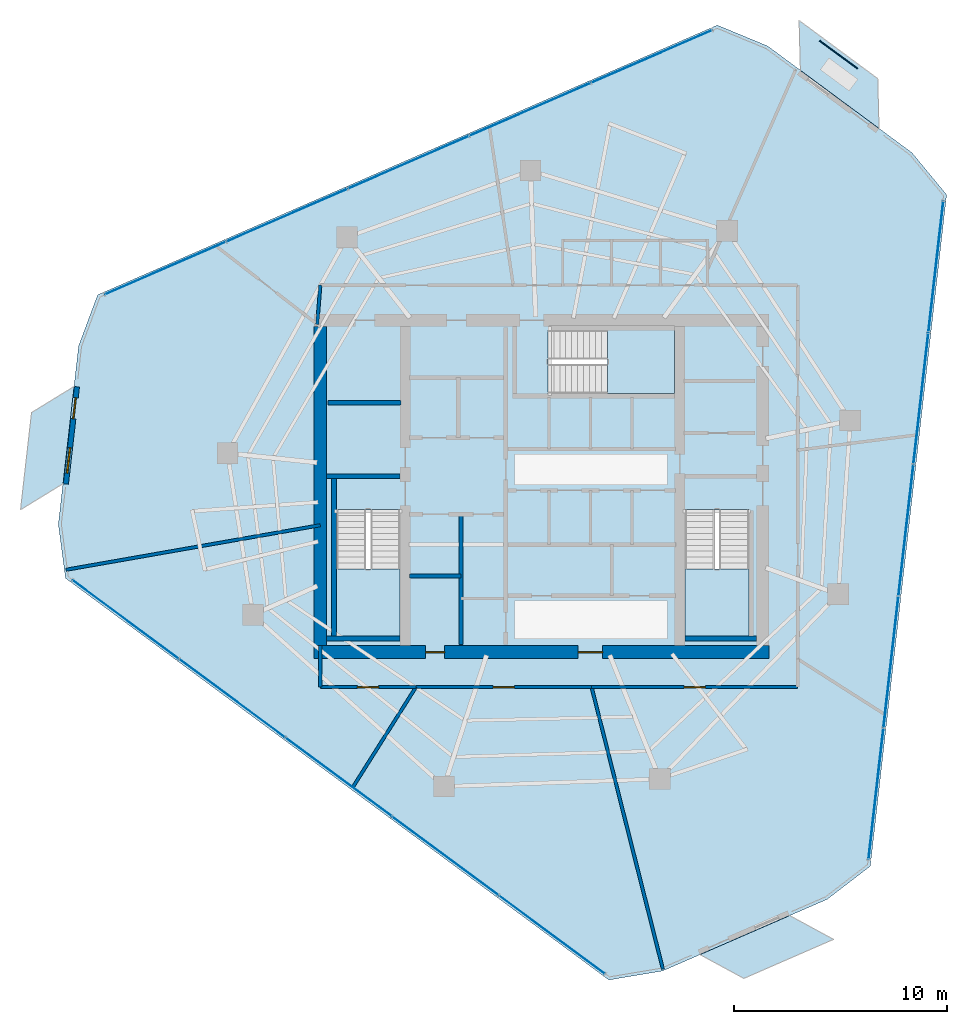
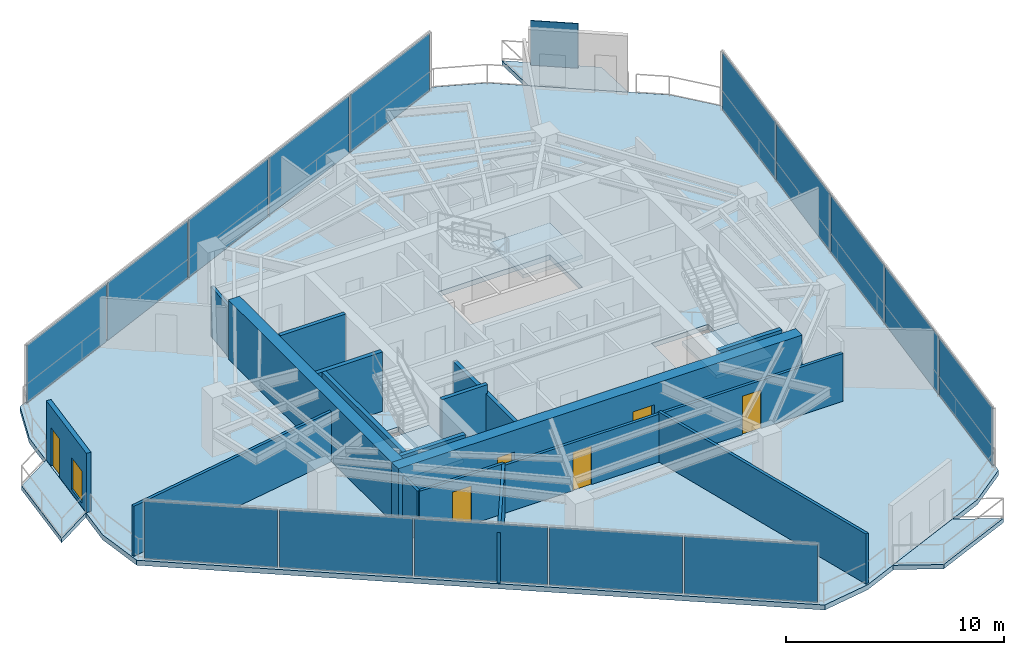
# One storey, part 17 of 22: 18 walls, 16 plates, 7 slabs, 6 doors, 1 window, 7 openings, 6 elements without a shape of their own.
"""IFC4 building model written with IfcOpenShell, lengths in metres."""

from ifc_helpers import new_model, si_unit, direction, frame, frame_2d, origin, origin_2d, place, context, subcontext, project, spatial, polyline, rectangle, outline, extrude, material, layer, layer_set, type_object, element, fill, aggregate, save


model = new_model("IFC4")

# Units and contexts
model_context = context("Model", 3, precision=1e-05, world=origin(), true_north=direction((0.0, 1.0)))
body_context = subcontext(model_context, "Body", "Model", "MODEL_VIEW")
ifc_project = project(units=[si_unit("LENGTHUNIT", "METRE"), si_unit("AREAUNIT", "SQUARE_METRE"), si_unit("VOLUMEUNIT", "CUBIC_METRE"), si_unit("PLANEANGLEUNIT", "RADIAN"), si_unit("MASSUNIT", "GRAM", prefix="KILO")], contexts=[model_context])

# Site, building, storey
site_placement = place(None, origin())
site = spatial("IfcSite", under=ifc_project, at=site_placement, CompositionType="ELEMENT")
building_placement = place(site_placement, origin())
building = spatial("IfcBuilding", under=site, at=building_placement, Name="Qarnah Convention Tower", CompositionType="ELEMENT")
storey_placement = place(building_placement, frame((0.0, 0.0, 154.5)))
storey = spatial("IfcBuildingStorey", under=building, at=storey_placement, Name="L41", CompositionType="ELEMENT", Elevation=154.5)

# Curtain wall, plates
ifc_material_1 = material(Name="Tempered Low-E dark glass", Category="glass")
ifc_layer_1 = layer(ifc_material_1, 0.172119140625)
ifc_layer_set_1 = layer_set([ifc_layer_1], Name="Tempered Low-E dark glass")
curtain_wall_type = type_object("IfcCurtainWallType", Name="CWS-03", PredefinedType="NOTDEFINED", material=ifc_layer_set_1)
curtain_wall_1_placement = place(storey_placement, origin())
curtain_wall_1 = element("IfcCurtainWall", 1, at=curtain_wall_1_placement, inside=storey, type_object=curtain_wall_type, Name="L41 unitised curtain wall CW-L41-F1", PredefinedType="NOTDEFINED")
ifc_layer_2 = layer(ifc_material_1, 0.031982421875)
ifc_layer_set_2 = layer_set([ifc_layer_2], Name="Tempered Low-E dark glass")
plate_type_1 = type_object("IfcPlateType", Name="PNL-T3", PredefinedType="CURTAIN_PANEL", material=ifc_layer_set_2)
plate_1_placement = place(storey_placement, frame((19.51171875, 36.652099609375, 0.0400390625), z_axis=(0.0, 0.0, 1.0), x_axis=(0.916925676456, 0.399058020663, 0.0)))
plate_1 = element("IfcPlate", 2, at=plate_1_placement, type_object=plate_type_1, Name="CW-L41-F1 curtain panel 1.1", PredefinedType="CURTAIN_PANEL", context=body_context, shape_type="SweptSolid", body=[
    extrude(rectangle(XDim=6.1552734375, YDim=0.031982421875, at=origin_2d()), origin(), (0.0, 0.0, 1.0), 3.239990234375),
])
plate_2_placement = place(storey_placement, frame((25.228759765625, 39.140380859375, 0.0400390625), z_axis=(0.0, 0.0, 1.0), x_axis=(0.916925676456, 0.399058020663, 0.0)))
plate_2 = element("IfcPlate", 3, at=plate_2_placement, type_object=plate_type_1, Name="CW-L41-F1 curtain panel 2.1", PredefinedType="CURTAIN_PANEL", context=body_context, shape_type="SweptSolid", body=[
    extrude(rectangle(XDim=6.1552734375, YDim=0.031982421875, at=origin_2d()), origin(), (0.0, 0.0, 1.0), 3.239990234375),
])
plate_3_placement = place(storey_placement, frame((30.946044921875, 41.62841796875, 0.0400390625), z_axis=(0.0, 0.0, 1.0), x_axis=(0.916925676456, 0.399058020663, 0.0)))
plate_3 = element("IfcPlate", 4, at=plate_3_placement, type_object=plate_type_1, Name="CW-L41-F1 curtain panel 3.1", PredefinedType="CURTAIN_PANEL", context=body_context, shape_type="SweptSolid", body=[
    extrude(rectangle(XDim=6.1552734375, YDim=0.031982421875, at=origin_2d()), origin(), (0.0, 0.0, 1.0), 3.239990234375),
])
plate_4_placement = place(storey_placement, frame((36.6630859375, 44.11669921875, 0.0400390625), z_axis=(0.0, 0.0, 1.0), x_axis=(0.916925676456, 0.399058020663, 0.0)))
plate_4 = element("IfcPlate", 5, at=plate_4_placement, type_object=plate_type_1, Name="CW-L41-F1 curtain panel 4.1", PredefinedType="CURTAIN_PANEL", context=body_context, shape_type="SweptSolid", body=[
    extrude(rectangle(XDim=6.1552734375, YDim=0.031982421875, at=origin_2d()), origin(), (0.0, 0.0, 1.0), 3.239990234375),
])
plate_5_placement = place(storey_placement, frame((42.38037109375, 46.60498046875, 0.0400390625), z_axis=(0.0, 0.0, 1.0), x_axis=(0.916925676456, 0.399058020663, 0.0)))
plate_5 = element("IfcPlate", 6, at=plate_5_placement, type_object=plate_type_1, Name="CW-L41-F1 curtain panel 5.1", PredefinedType="CURTAIN_PANEL", context=body_context, shape_type="SweptSolid", body=[
    extrude(rectangle(XDim=6.1552734375, YDim=0.031982421875, at=origin_2d()), origin(), (0.0, 0.0, 1.0), 3.239990234375),
])
aggregate(curtain_wall_1, [plate_1, plate_2, plate_3, plate_4, plate_5])

curtain_wall_2_placement = place(storey_placement, origin())
curtain_wall_2 = element("IfcCurtainWall", 7, at=curtain_wall_2_placement, inside=storey, type_object=curtain_wall_type, Name="L41 unitised curtain wall CW-L41-F2", PredefinedType="NOTDEFINED")
plate_6_placement = place(storey_placement, frame((37.689453125, 5.3076171875, 0.0400390625), z_axis=(0.0, 0.0, 1.0), x_axis=(-0.804054129382, 0.594556100821, 0.0)))
plate_6 = element("IfcPlate", 8, at=plate_6_placement, type_object=plate_type_1, Name="CW-L41-F2 curtain panel 1.1", PredefinedType="CURTAIN_PANEL", context=body_context, shape_type="SweptSolid", body=[
    extrude(rectangle(XDim=6.15478515625, YDim=0.031982421875, at=origin_2d()), origin(), (0.0, 0.0, 1.0), 3.239990234375),
])
plate_7_placement = place(storey_placement, frame((32.67626953125, 9.014404296875, 0.0400390625), z_axis=(0.0, 0.0, 1.0), x_axis=(-0.804054129382, 0.594556100821, 0.0)))
plate_7 = element("IfcPlate", 9, at=plate_7_placement, type_object=plate_type_1, Name="CW-L41-F2 curtain panel 2.1", PredefinedType="CURTAIN_PANEL", context=body_context, shape_type="SweptSolid", body=[
    extrude(rectangle(XDim=6.15478515625, YDim=0.031982421875, at=origin_2d()), origin(), (0.0, 0.0, 1.0), 3.239990234375),
])
plate_8_placement = place(storey_placement, frame((27.6630859375, 12.721435546875, 0.0400390625), z_axis=(0.0, 0.0, 1.0), x_axis=(-0.804054129382, 0.594556100821, 0.0)))
plate_8 = element("IfcPlate", 10, at=plate_8_placement, type_object=plate_type_1, Name="CW-L41-F2 curtain panel 3.1", PredefinedType="CURTAIN_PANEL", context=body_context, shape_type="SweptSolid", body=[
    extrude(rectangle(XDim=6.15478515625, YDim=0.031982421875, at=origin_2d()), origin(), (0.0, 0.0, 1.0), 3.239990234375),
])
plate_9_placement = place(storey_placement, frame((22.64990234375, 16.428466796875, 0.0400390625), z_axis=(0.0, 0.0, 1.0), x_axis=(-0.804054129382, 0.594556100821, 0.0)))
plate_9 = element("IfcPlate", 11, at=plate_9_placement, type_object=plate_type_1, Name="CW-L41-F2 curtain panel 4.1", PredefinedType="CURTAIN_PANEL", context=body_context, shape_type="SweptSolid", body=[
    extrude(rectangle(XDim=6.15478515625, YDim=0.031982421875, at=origin_2d()), origin(), (0.0, 0.0, 1.0), 3.239990234375),
])
plate_10_placement = place(storey_placement, frame((17.63671875, 20.135498046875, 0.0400390625), z_axis=(0.0, 0.0, 1.0), x_axis=(-0.804054129382, 0.594556100821, 0.0)))
plate_10 = element("IfcPlate", 12, at=plate_10_placement, type_object=plate_type_1, Name="CW-L41-F2 curtain panel 5.1", PredefinedType="CURTAIN_PANEL", context=body_context, shape_type="SweptSolid", body=[
    extrude(rectangle(XDim=6.15478515625, YDim=0.031982421875, at=origin_2d()), origin(), (0.0, 0.0, 1.0), 3.239990234375),
])
aggregate(curtain_wall_2, [plate_6, plate_7, plate_8, plate_9, plate_10])

curtain_wall_3_placement = place(storey_placement, origin())
curtain_wall_3 = element("IfcCurtainWall", 13, at=curtain_wall_3_placement, inside=storey, type_object=curtain_wall_type, Name="L41 unitised curtain wall CW-L41-F3", PredefinedType="NOTDEFINED")
plate_11_placement = place(storey_placement, frame((55.74609375, 36.721435546875, 0.0400390625), z_axis=(0.0, 0.0, 1.0), x_axis=(-0.11288161714, -0.993608444264, 0.0)))
plate_11 = element("IfcPlate", 14, at=plate_11_placement, type_object=plate_type_1, Name="CW-L41-F3 curtain panel 1.1", PredefinedType="CURTAIN_PANEL", context=body_context, shape_type="SweptSolid", body=[
    extrude(rectangle(XDim=6.15478515625, YDim=0.031982421875, at=origin_2d()), origin(), (0.0, 0.0, 1.0), 3.239990234375),
])
plate_12_placement = place(storey_placement, frame((55.042236328125, 30.526611328125, 0.0400390625), z_axis=(0.0, 0.0, 1.0), x_axis=(-0.11288161714, -0.993608444264, 0.0)))
plate_12 = element("IfcPlate", 15, at=plate_12_placement, type_object=plate_type_1, Name="CW-L41-F3 curtain panel 2.1", PredefinedType="CURTAIN_PANEL", context=body_context, shape_type="SweptSolid", body=[
    extrude(rectangle(XDim=6.15478515625, YDim=0.031982421875, at=origin_2d()), origin(), (0.0, 0.0, 1.0), 3.239990234375),
])
plate_13_placement = place(storey_placement, frame((54.33837890625, 24.33154296875, 0.0400390625), z_axis=(0.0, 0.0, 1.0), x_axis=(-0.11288161714, -0.993608444264, 0.0)))
plate_13 = element("IfcPlate", 16, at=plate_13_placement, type_object=plate_type_1, Name="CW-L41-F3 curtain panel 3.1", PredefinedType="CURTAIN_PANEL", context=body_context, shape_type="SweptSolid", body=[
    extrude(rectangle(XDim=6.15478515625, YDim=0.031982421875, at=origin_2d()), origin(), (0.0, 0.0, 1.0), 3.239990234375),
])
plate_14_placement = place(storey_placement, frame((53.634765625, 18.136474609375, 0.0400390625), z_axis=(0.0, 0.0, 1.0), x_axis=(-0.11288161714, -0.993608444264, 0.0)))
plate_14 = element("IfcPlate", 17, at=plate_14_placement, type_object=plate_type_1, Name="CW-L41-F3 curtain panel 4.1", PredefinedType="CURTAIN_PANEL", context=body_context, shape_type="SweptSolid", body=[
    extrude(rectangle(XDim=6.15478515625, YDim=0.031982421875, at=origin_2d()), origin(), (0.0, 0.0, 1.0), 3.239990234375),
])
plate_15_placement = place(storey_placement, frame((52.930908203125, 11.94140625, 0.0400390625), z_axis=(0.0, 0.0, 1.0), x_axis=(-0.11288161714, -0.993608444264, 0.0)))
plate_15 = element("IfcPlate", 18, at=plate_15_placement, type_object=plate_type_1, Name="CW-L41-F3 curtain panel 5.1", PredefinedType="CURTAIN_PANEL", context=body_context, shape_type="SweptSolid", body=[
    extrude(rectangle(XDim=6.15478515625, YDim=0.031982421875, at=origin_2d()), origin(), (0.0, 0.0, 1.0), 3.239990234375),
])
aggregate(curtain_wall_3, [plate_11, plate_12, plate_13, plate_14, plate_15])

# Plate
ifc_material_2 = material(Name="Black anodised aluminium", Category="aluminium")
ifc_layer_3 = layer(ifc_material_2, 0.044921875)
ifc_layer_set_3 = layer_set([ifc_layer_3], Name="Black anodised aluminium")
plate_type_2 = type_object("IfcPlateType", Name="SCR-BAL-18", PredefinedType="USERDEFINED", material=ifc_layer_set_3)
plate_16_placement = place(storey_placement, frame((51.16796875, 46.693115234375, 0.0), z_axis=(0.0, 0.0, 1.0), x_axis=(0.804076895846, -0.594525311123, 0.0)))
element("IfcPlate", 19, at=plate_16_placement, inside=storey, type_object=plate_type_2, Name="L41 perforated desert solar screen BAL-L41-C1", ObjectType="SCREEN", PredefinedType="USERDEFINED", context=body_context, shape_type="SweptSolid", body=[
    extrude(rectangle(XDim=2.199951171875, YDim=0.044921875, at=origin_2d()), origin(), (0.0, 0.0, 1.0), 2.5),
])

# Slabs
ifc_material_3 = material(Name="Concrete C45/55", Category="concrete")
ifc_layer_4 = layer(ifc_material_3, 0.239990234375)
ifc_layer_set_4 = layer_set([ifc_layer_4], Name="Concrete C45/55")
slab_type_1 = type_object("IfcSlabType", Name="SLB-BAL-240", PredefinedType="USERDEFINED", material=ifc_layer_set_4)
slab_1_placement = place(storey_placement, frame((0.0, 0.0, -0.239990234375)))
element("IfcSlab", 20, at=slab_1_placement, inside=storey, type_object=slab_type_1, Name="L41 cantilevered balcony slab BAL-L41-C1", ObjectType="BALCONY", PredefinedType="USERDEFINED", context=body_context, shape_type="SweptSolid", body=[
    extrude(outline(polyline([(49.31201171875, 48.300048828125), (53.010986328125, 45.56494140625), (53.072998046875, 43.219970703125), (49.3740234375, 45.955078125), (49.31201171875, 48.300048828125)])), origin(), (0.0, 0.0, 1.0), 0.239990234375),
])
slab_2_placement = place(storey_placement, frame((0.0, 0.0, -0.239990234375)))
element("IfcSlab", 21, at=slab_2_placement, inside=storey, type_object=slab_type_1, Name="L41 cantilevered balcony slab BAL-L41-C2", ObjectType="BALCONY", PredefinedType="USERDEFINED", context=body_context, shape_type="SweptSolid", body=[
    extrude(outline(polyline([(12.701904296875, 25.291015625), (13.220947265625, 29.862060546875), (15.220947265625, 31.087890625), (14.701904296875, 26.51708984375), (12.701904296875, 25.291015625)])), origin(), (0.0, 0.0, 1.0), 0.239990234375),
])
slab_3_placement = place(storey_placement, frame((0.0, 0.0, -0.239990234375)))
element("IfcSlab", 22, at=slab_3_placement, inside=storey, type_object=slab_type_1, Name="L41 cantilevered balcony slab BAL-L41-C3", ObjectType="BALCONY", PredefinedType="USERDEFINED", context=body_context, shape_type="SweptSolid", body=[
    extrude(outline(polyline([(50.93310546875, 5.090087890625), (46.715087890625, 3.25390625), (44.653076171875, 4.373046875), (48.8701171875, 6.208984375), (50.93310546875, 5.090087890625)])), origin(), (0.0, 0.0, 1.0), 0.239990234375),
])

# Stair, slab
ifc_material_4 = material(Name="Concrete C50/60", Category="concrete")
stair_type = type_object("IfcStairType", Name="STR-OFF", PredefinedType="HALF_TURN_STAIR", material=ifc_material_4)
stair_1_placement = place(storey_placement, origin())
stair_1 = element("IfcStair", 23, at=stair_1_placement, inside=storey, type_object=stair_type, Name="L41 Core exit stair ST-1", PredefinedType="HALF_TURN_STAIR")
ifc_layer_5 = layer(ifc_material_4, 0.199951171875)
ifc_layer_set_5 = layer_set([ifc_layer_5], Name="Concrete C50/60")
slab_type_2 = type_object("IfcSlabType", Name="SLB-LANDING-200", PredefinedType="LANDING", material=ifc_layer_set_5)
slab_4_placement = place(storey_placement, frame((0.0, 0.0, 1.60009765625)))
slab_4 = element("IfcSlab", 24, at=slab_4_placement, type_object=slab_type_2, Name="ST-1 landing 1", PredefinedType="LANDING", context=body_context, shape_type="SweptSolid", body=[
    extrude(outline(polyline([(27.550048828125, 22.5), (27.550048828125, 19.35009765625), (30.550048828125, 19.35009765625), (30.550048828125, 22.5), (27.550048828125, 22.5)])), origin(), (0.0, 0.0, 1.0), 0.199951171875),
])
aggregate(stair_1, [slab_4])

stair_2_placement = place(storey_placement, origin())
stair_2 = element("IfcStair", 25, at=stair_2_placement, inside=storey, type_object=stair_type, Name="L41 Core exit stair ST-2", PredefinedType="HALF_TURN_STAIR")
slab_5_placement = place(storey_placement, frame((0.0, 0.0, 1.60009765625)))
slab_5 = element("IfcSlab", 26, at=slab_5_placement, type_object=slab_type_2, Name="ST-2 landing 1", PredefinedType="LANDING", context=body_context, shape_type="SweptSolid", body=[
    extrude(outline(polyline([(43.949951171875, 22.5), (43.949951171875, 19.35009765625), (46.949951171875, 19.35009765625), (46.949951171875, 22.5), (43.949951171875, 22.5)])), origin(), (0.0, 0.0, 1.0), 0.199951171875),
])
aggregate(stair_2, [slab_5])

stair_3_placement = place(storey_placement, origin())
stair_3 = element("IfcStair", 27, at=stair_3_placement, inside=storey, type_object=stair_type, Name="L41 Core exit stair ST-3", PredefinedType="HALF_TURN_STAIR")
slab_6_placement = place(storey_placement, frame((0.0, 0.0, 1.60009765625)))
slab_6 = element("IfcSlab", 28, at=slab_6_placement, type_object=slab_type_2, Name="ST-3 landing 1", PredefinedType="LANDING", context=body_context, shape_type="SweptSolid", body=[
    extrude(outline(polyline([(40.300048828125, 30.75), (43.449951171875, 30.75), (43.449951171875, 33.75), (40.300048828125, 33.75), (40.300048828125, 30.75)])), origin(), (0.0, 0.0, 1.0), 0.199951171875),
])
aggregate(stair_3, [slab_6])

# Slab
ifc_layer_6 = layer(ifc_material_3, 0.280029296875)
ifc_layer_set_6 = layer_set([ifc_layer_6], Name="Concrete C45/55")
slab_type_3 = type_object("IfcSlabType", Name="SLB-TWR-280", PredefinedType="FLOOR", material=ifc_layer_set_6)
slab_7_placement = place(storey_placement, frame((0.0, 0.0, -0.280029296875)))
element("IfcSlab", 29, at=slab_7_placement, inside=storey, type_object=slab_type_3, Name="L41 structural floor slab", PredefinedType="FLOOR", context=body_context, shape_type="SweptSolid", body=[
    extrude(outline(polyline([(45.466064453125, 48.0791015625), (16.330078125, 35.39794921875), (15.43408203125, 32.9970703125), (14.48095703125, 24.611083984375), (14.81689453125, 22.071044921875), (40.365966796875, 3.178955078125), (42.89306640625, 3.60302734375), (50.632080078125, 6.970947265625), (52.6640625, 8.531982421875), (56.2509765625, 40.10400390625), (54.6201171875, 42.0810546875), (47.833984375, 47.09912109375), (45.466064453125, 48.0791015625)]), holes=[polyline([(27.550048828125, 25.300048828125), (27.550048828125, 19.35009765625), (30.550048828125, 19.35009765625), (30.550048828125, 25.300048828125), (27.550048828125, 25.300048828125)]), polyline([(43.949951171875, 25.300048828125), (43.949951171875, 19.35009765625), (46.949951171875, 19.35009765625), (46.949951171875, 25.300048828125), (43.949951171875, 25.300048828125)]), polyline([(37.5, 30.75), (43.449951171875, 30.75), (43.449951171875, 33.75), (37.5, 33.75), (37.5, 30.75)])]), origin(), (0.0, 0.0, 1.0), 0.280029296875),
])

# Wall, openings, doors
ifc_material_5 = material(Name="Concrete C60/75", Category="concrete")
ifc_layer_7 = layer(ifc_material_5, 0.60009765625)
ifc_layer_set_7 = layer_set([ifc_layer_7], Name="Concrete C60/75")
wall_type_1 = type_object("IfcWallType", Name="WL-CORE-600", PredefinedType="SHEAR", material=ifc_layer_set_7)
wall_1_placement = place(storey_placement, frame((26.5, 18.60009765625, 0.0), z_axis=(0.0, 0.0, 1.0), x_axis=(1.0, 0.0, 0.0)))
wall_1 = element("IfcWall", 30, at=wall_1_placement, inside=storey, type_object=wall_type_1, Name="L41 core south shear wall", PredefinedType="SHEAR", context=body_context, shape_type="SweptSolid", body=[
    extrude(rectangle(XDim=21.39990234375, YDim=0.60009765625, at=frame_2d((10.699951171875, 0.0))), origin(), (0.0, 0.0, 1.0), 3.320068359375),
])
opening_1_placement = place(wall_1_placement, frame((12.425048828125, 0.0, 0.0)))
opening_1 = element("IfcOpeningElement", 31, at=opening_1_placement, cuts=wall_1, Name="Opening D-4107", PredefinedType="OPENING", context=body_context, shape_type="SweptSolid", body=[
    extrude(rectangle(XDim=1.14990234375, YDim=2.14990234375, at=frame_2d((0.574951171875, 1.074951171875))), frame((0.0, 0.31005859375, 0.0), z_axis=(0.0, -1.0, 0.0), x_axis=(1.0, 0.0, 0.0)), (0.0, 0.0, 1.0), 0.6201171875),
])
opening_2_placement = place(wall_1_placement, frame((5.25, 0.0, 0.0)))
opening_2 = element("IfcOpeningElement", 32, at=opening_2_placement, cuts=wall_1, Name="Opening D-4113", PredefinedType="OPENING", context=body_context, shape_type="SweptSolid", body=[
    extrude(rectangle(XDim=0.89990234375, YDim=2.10009765625, at=frame_2d((0.449951171875, 1.050048828125))), frame((0.0, 0.31005859375, 0.0), z_axis=(0.0, -1.0, 0.0), x_axis=(1.0, 0.0, 0.0)), (0.0, 0.0, 1.0), 0.6201171875),
])
ifc_material_6 = material(Name="Structural steel S355JR", Category="steel")
door_type_1 = type_object("IfcDoorType", Name="DT-LOBBY-1150", OperationType="NOTDEFINED", PredefinedType="DOOR", material=ifc_material_6)
door_1_placement = place(opening_1_placement, origin())
door_1 = element("IfcDoor", 33, at=door_1_placement, inside=storey, type_object=door_type_1, Name="Door D-4107", OperationType="SINGLE_SWING_RIGHT", OverallHeight=2.14990234375, OverallWidth=1.14990234375, PredefinedType="DOOR", context=body_context, shape_type="SweptSolid", body=[
    extrude(rectangle(XDim=1.14990234375, YDim=2.14990234375, at=frame_2d((0.574951171875, 1.074951171875))), frame((0.0, 0.02490234375, 0.0), z_axis=(0.0, -1.0, 0.0), x_axis=(1.0, 0.0, 0.0)), (0.0, 0.0, 1.0), 0.050048828125),
])
fill(opening_1, door_1)
door_type_2 = type_object("IfcDoorType", Name="DT-RISER-900", OperationType="NOTDEFINED", PredefinedType="DOOR", material=ifc_material_6)
door_2_placement = place(opening_2_placement, origin())
door_2 = element("IfcDoor", 34, at=door_2_placement, inside=storey, type_object=door_type_2, Name="Door D-4113", OperationType="SINGLE_SWING_RIGHT", OverallHeight=2.10009765625, OverallWidth=0.89990234375, PredefinedType="DOOR", context=body_context, shape_type="SweptSolid", body=[
    extrude(rectangle(XDim=0.89990234375, YDim=2.10009765625, at=frame_2d((0.449951171875, 1.050048828125))), frame((0.0, 0.02490234375, 0.0), z_axis=(0.0, -1.0, 0.0), x_axis=(1.0, 0.0, 0.0)), (0.0, 0.0, 1.0), 0.050048828125),
])
fill(opening_2, door_2)

# Walls
wall_2_placement = place(storey_placement, frame((26.800048828125, 18.89990234375, 0.0), z_axis=(0.0, 0.0, 1.0), x_axis=(0.0, 1.0, 0.0)))
element("IfcWall", 35, at=wall_2_placement, inside=storey, type_object=wall_type_1, Name="L41 core west shear wall", PredefinedType="SHEAR", context=body_context, shape_type="SweptSolid", body=[
    extrude(rectangle(XDim=15.0, YDim=0.60009765625, at=frame_2d((7.5, 0.0))), origin(), (0.0, 0.0, 1.0), 3.320068359375),
])
ifc_layer_8 = layer(ifc_material_3, 0.199951171875)
ifc_layer_set_8 = layer_set([ifc_layer_8], Name="Concrete C45/55")
wall_type_2 = type_object("IfcWallType", Name="WL-CORE-PART-200", PredefinedType="SOLIDWALL", material=ifc_layer_set_8)
wall_3_placement = place(storey_placement, frame((27.14990234375, 30.320068359375, 0.0), z_axis=(0.0, 0.0, 1.0), x_axis=(1.0, 0.0, 0.0)))
element("IfcWall", 36, at=wall_3_placement, inside=storey, type_object=wall_type_2, Name="L41 interior wall IW-L41-ELRN", PredefinedType="SOLIDWALL", context=body_context, shape_type="SweptSolid", body=[
    extrude(rectangle(XDim=3.4501953125, YDim=0.199951171875, at=frame_2d((1.72509765625, 0.0))), origin(), (0.0, 0.0, 1.0), 3.320068359375),
])
wall_4_placement = place(storey_placement, frame((33.419921875, 18.949951171875, 0.0), z_axis=(0.0, 0.0, 1.0), x_axis=(0.0, 1.0, 0.0)))
element("IfcWall", 37, at=wall_4_placement, inside=storey, type_object=wall_type_2, Name="L41 interior wall IW-L41-SVLE", PredefinedType="SOLIDWALL", context=body_context, shape_type="SweptSolid", body=[
    extrude(rectangle(XDim=6.130126953125, YDim=0.199951171875, at=frame_2d((3.06494140625, 0.0))), origin(), (0.0, 0.0, 1.0), 2.841064453125),
])
wall_5_placement = place(storey_placement, frame((31.0, 22.179931640625, 0.0), z_axis=(0.0, 0.0, 1.0), x_axis=(1.0, 0.0, 0.0)))
element("IfcWall", 38, at=wall_5_placement, inside=storey, type_object=wall_type_2, Name="L41 interior wall IW-L41-SVLS", PredefinedType="SOLIDWALL", context=body_context, shape_type="SweptSolid", body=[
    extrude(rectangle(XDim=2.419921875, YDim=0.199951171875, at=frame_2d((1.2099609375, 0.0))), origin(), (0.0, 0.0, 1.0), 3.320068359375),
])
ifc_layer_9 = layer(ifc_material_5, 0.219970703125)
ifc_layer_set_9 = layer_set([ifc_layer_9], Name="Concrete C60/75")
wall_type_3 = type_object("IfcWallType", Name="WL-CORE-STAIR-220", PredefinedType="SHEAR", material=ifc_layer_set_9)
wall_6_placement = place(storey_placement, frame((27.10009765625, 26.860107421875, 0.0), z_axis=(0.0, 0.0, 1.0), x_axis=(1.0, 0.0, 0.0)))
element("IfcWall", 39, at=wall_6_placement, inside=storey, type_object=wall_type_3, Name="L41 stair shaft shear wall SW-L41-ST1N", PredefinedType="SHEAR", context=body_context, shape_type="SweptSolid", body=[
    extrude(rectangle(XDim=3.449951171875, YDim=0.219970703125, at=frame_2d((1.72509765625, 0.0))), origin(), (0.0, 0.0, 1.0), 3.320068359375),
])
wall_7_placement = place(storey_placement, frame((27.43994140625, 19.35009765625, 0.0), z_axis=(0.0, 0.0, 1.0), x_axis=(0.0, 1.0, 0.0)))
element("IfcWall", 40, at=wall_7_placement, inside=storey, type_object=wall_type_3, Name="L41 stair shaft shear wall SW-L41-ST1W", PredefinedType="SHEAR", context=body_context, shape_type="SweptSolid", body=[
    extrude(rectangle(XDim=7.39990234375, YDim=0.219970703125, at=frame_2d((3.699951171875, 0.0))), origin(), (0.0, 0.0, 1.0), 3.320068359375),
])
wall_8_placement = place(storey_placement, frame((27.10009765625, 19.239990234375, 0.0), z_axis=(0.0, 0.0, 1.0), x_axis=(1.0, 0.0, 0.0)))
element("IfcWall", 41, at=wall_8_placement, inside=storey, type_object=wall_type_3, Name="L41 stair shaft shear wall SW-L41-ST1S", PredefinedType="SHEAR", context=body_context, shape_type="SweptSolid", body=[
    extrude(rectangle(XDim=3.449951171875, YDim=0.219970703125, at=frame_2d((1.72509765625, 0.0))), origin(), (0.0, 0.0, 1.0), 3.320068359375),
])
wall_9_placement = place(storey_placement, frame((43.949951171875, 19.239990234375, 0.0), z_axis=(0.0, 0.0, 1.0), x_axis=(1.0, 0.0, 0.0)))
element("IfcWall", 42, at=wall_9_placement, inside=storey, type_object=wall_type_3, Name="L41 stair shaft shear wall SW-L41-ST2S", PredefinedType="SHEAR", context=body_context, shape_type="SweptSolid", body=[
    extrude(rectangle(XDim=3.35009765625, YDim=0.219970703125, at=frame_2d((1.675048828125, 0.0))), origin(), (0.0, 0.0, 1.0), 3.320068359375),
])

# Wall, openings, door, window
ifc_material_7 = material(Name="Precast concrete C45/55", Category="concrete")
ifc_layer_10 = layer(ifc_material_7, 0.239990234375)
ifc_layer_set_10 = layer_set([ifc_layer_10], Name="Precast concrete C45/55")
wall_type_4 = type_object("IfcWallType", Name="WL-EXT-BAL-240", PredefinedType="SOLIDWALL", material=ifc_layer_set_10)
wall_10_placement = place(storey_placement, frame((14.8369140625, 26.5029296875, 0.0), z_axis=(0.0, 0.0, 1.0), x_axis=(0.112825144944, 0.993614858317, 0.0)))
wall_10 = element("IfcWall", 43, at=wall_10_placement, inside=storey, type_object=wall_type_4, Name="L41 loggia threshold wall BAL-L41-C2", PredefinedType="SOLIDWALL", context=body_context, shape_type="SweptSolid", body=[
    extrude(rectangle(XDim=4.600341796875, YDim=0.239990234375, at=frame_2d((2.30029296875, 0.0))), origin(), (0.0, 0.0, 1.0), 3.320068359375),
])
opening_3_placement = place(wall_10_placement, frame((3.080078125, 0.0, 0.0)))
opening_3 = element("IfcOpeningElement", 44, at=opening_3_placement, cuts=wall_10, Name="Opening BD-4102", PredefinedType="OPENING", context=body_context, shape_type="SweptSolid", body=[
    extrude(rectangle(XDim=1.0, YDim=2.14990234375, at=frame_2d((0.5, 1.074951171875))), frame((0.0, 0.1298828125, 0.0), z_axis=(0.0, -1.0, 0.0), x_axis=(1.0, 0.0, 0.0)), (0.0, 0.0, 1.0), 0.260009765625),
])
opening_4_placement = place(wall_10_placement, frame((0.52001953125, 0.0, 0.199951171875)))
opening_4 = element("IfcOpeningElement", 45, at=opening_4_placement, cuts=wall_10, Name="Opening WN5", PredefinedType="OPENING", context=body_context, shape_type="SweptSolid", body=[
    extrude(rectangle(XDim=1.199951171875, YDim=1.800048828125, at=frame_2d((0.60009765625, 0.89990234375))), frame((0.0, 0.1298828125, 0.0), z_axis=(0.0, -1.0, 0.0), x_axis=(1.0, 0.0, 0.0)), (0.0, 0.0, 1.0), 0.260009765625),
])
door_type_3 = type_object("IfcDoorType", Name="DT-BAL-1000", OperationType="NOTDEFINED", PredefinedType="DOOR", material=ifc_material_2)
door_3_placement = place(opening_3_placement, origin())
door_3 = element("IfcDoor", 46, at=door_3_placement, inside=storey, type_object=door_type_3, Name="L41 balcony terrace door BAL-L41-C2", OperationType="SINGLE_SWING_LEFT", OverallHeight=2.14990234375, OverallWidth=1.0, PredefinedType="DOOR", context=body_context, shape_type="SweptSolid", body=[
    extrude(rectangle(XDim=1.0, YDim=2.14990234375, at=frame_2d((0.5, 1.074951171875))), frame((0.0, 0.02490234375, 0.0), z_axis=(0.0, -1.0, 0.0), x_axis=(1.0, 0.0, 0.0)), (0.0, 0.0, 1.0), 0.050048828125),
])
fill(opening_3, door_3)
window_type = type_object("IfcWindowType", Name="WT-BAL-1200X1800", PartitioningType="SINGLE_PANEL", PredefinedType="WINDOW", material=ifc_material_1)
window_placement = place(opening_4_placement, origin())
window = element("IfcWindow", 47, at=window_placement, inside=storey, type_object=window_type, Name="Window BW-BAL-L41-C2", OverallHeight=1.800048828125, OverallWidth=1.199951171875, PartitioningType="SINGLE_PANEL", PredefinedType="WINDOW", context=body_context, shape_type="SweptSolid", body=[
    extrude(rectangle(XDim=1.199951171875, YDim=1.800048828125, at=frame_2d((0.60009765625, 0.89990234375))), frame((0.0, 0.030029296875, 0.0), z_axis=(0.0, -1.0, 0.0), x_axis=(1.0, 0.0, 0.0)), (0.0, 0.0, 1.0), 0.06005859375),
])
fill(opening_4, window)

# Walls
ifc_material_8 = material(Name="Gypsum partition board")
ifc_layer_11 = layer(ifc_material_8, 0.14990234375)
ifc_layer_set_11 = layer_set([ifc_layer_11], Name="Gypsum partition board")
wall_type_5 = type_object("IfcWallType", Name="WL-SUITE-150", PredefinedType="PARTITIONING", material=ifc_layer_set_11)
wall_11_placement = place(storey_placement, frame((26.655029296875, 34.011962890625, 0.0), z_axis=(0.0, 0.0, 1.0), x_axis=(0.078650542613, 0.99690224804, 0.0)))
element("IfcWall", 48, at=wall_11_placement, inside=storey, type_object=wall_type_5, Name="L41 interior wall IW-L41-R-20", PredefinedType="PARTITIONING", context=body_context, shape_type="SweptSolid", body=[
    extrude(rectangle(XDim=1.84375, YDim=0.14990234375, at=frame_2d((0.921875, 0.0))), origin(), (0.0, 0.0, 1.0), 2.804931640625),
])
wall_12_placement = place(storey_placement, frame((14.844970703125, 22.469970703125, 0.0), z_axis=(0.0, 0.0, 1.0), x_axis=(0.984977138686, 0.172684788752, 0.0)))
element("IfcWall", 49, at=wall_12_placement, inside=storey, type_object=wall_type_5, Name="L41 interior wall IW-L41-R-22", PredefinedType="PARTITIONING", context=body_context, shape_type="SweptSolid", body=[
    extrude(rectangle(XDim=12.137451171875, YDim=0.14990234375, at=frame_2d((6.06884765625, 0.0))), origin(), (0.0, 0.0, 1.0), 2.804931640625),
])
wall_13_placement = place(storey_placement, frame((28.301025390625, 12.199951171875, 0.0), z_axis=(0.0, 0.0, 1.0), x_axis=(0.533215692483, 0.845979329115, 0.0)))
element("IfcWall", 50, at=wall_13_placement, inside=storey, type_object=wall_type_5, Name="L41 interior wall IW-L41-R-23", PredefinedType="PARTITIONING", context=body_context, shape_type="SweptSolid", body=[
    extrude(rectangle(XDim=5.61474609375, YDim=0.14990234375, at=frame_2d((2.807373046875, 0.0))), origin(), (0.0, 0.0, 1.0), 2.804931640625),
])

# Wall, opening, door
wall_14_placement = place(storey_placement, frame((31.294921875, 16.949951171875, 0.0), z_axis=(0.0, 0.0, 1.0), x_axis=(-1.0, 0.0, 0.0)))
wall_14 = element("IfcWall", 51, at=wall_14_placement, inside=storey, type_object=wall_type_5, Name="L41 interior wall IW-L41-R-24", PredefinedType="PARTITIONING", context=body_context, shape_type="SweptSolid", body=[
    extrude(rectangle(XDim=4.494873046875, YDim=0.14990234375, at=frame_2d((2.24755859375, 0.0))), origin(), (0.0, 0.0, 1.0), 2.804931640625),
])
opening_5_placement = place(wall_14_placement, frame((1.748046875, 0.0, 0.0)))
opening_5 = element("IfcOpeningElement", 52, at=opening_5_placement, cuts=wall_14, Name="Opening D-4125", PredefinedType="OPENING", context=body_context, shape_type="SweptSolid", body=[
    extrude(rectangle(XDim=1.0, YDim=2.14990234375, at=frame_2d((0.5, 1.074951171875))), frame((0.0, 0.0849609375, 0.0), z_axis=(0.0, -1.0, 0.0), x_axis=(1.0, 0.0, 0.0)), (0.0, 0.0, 1.0), 0.169921875),
])
ifc_material_9 = material(Name="Oak timber veneer", Category="wood")
door_type_4 = type_object("IfcDoorType", Name="DT-OFFICE-1000", OperationType="NOTDEFINED", PredefinedType="DOOR", material=ifc_material_9)
door_4_placement = place(opening_5_placement, origin())
door_4 = element("IfcDoor", 53, at=door_4_placement, inside=storey, type_object=door_type_4, Name="Door D-4125", OperationType="SINGLE_SWING_RIGHT", OverallHeight=2.14990234375, OverallWidth=1.0, PredefinedType="DOOR", context=body_context, shape_type="SweptSolid", body=[
    extrude(rectangle(XDim=1.0, YDim=2.14990234375, at=frame_2d((0.5, 1.074951171875))), frame((0.0, 0.02490234375, 0.0), z_axis=(0.0, -1.0, 0.0), x_axis=(1.0, 0.0, 0.0)), (0.0, 0.0, 1.0), 0.050048828125),
])
fill(opening_5, door_4)

# Walls
wall_15_placement = place(storey_placement, frame((26.800048828125, 16.949951171875, 0.0), z_axis=(0.0, 0.0, 1.0), x_axis=(0.0, 1.0, 0.0)))
element("IfcWall", 54, at=wall_15_placement, inside=storey, type_object=wall_type_5, Name="L41 interior wall IW-L41-R-25", PredefinedType="PARTITIONING", context=body_context, shape_type="SweptSolid", body=[
    extrude(rectangle(XDim=1.949951171875, YDim=0.14990234375, at=frame_2d((0.97509765625, 0.0))), origin(), (0.0, 0.0, 1.0), 2.804931640625),
])
wall_16_placement = place(storey_placement, frame((42.907958984375, 3.696044921875, 0.0), z_axis=(0.0, 0.0, 1.0), x_axis=(-0.24519030566, 0.969474968223, 0.0)))
element("IfcWall", 55, at=wall_16_placement, inside=storey, type_object=wall_type_5, Name="L41 interior wall IW-L41-R-26", PredefinedType="PARTITIONING", context=body_context, shape_type="SweptSolid", body=[
    extrude(rectangle(XDim=13.671142578125, YDim=0.14990234375, at=frame_2d((6.83544921875, 0.0))), origin(), (0.0, 0.0, 1.0), 2.804931640625),
])

# Wall, opening, door
wall_17_placement = place(storey_placement, frame((39.555908203125, 16.949951171875, 0.0), z_axis=(0.0, 0.0, 1.0), x_axis=(-1.0, 0.0, 0.0)))
wall_17 = element("IfcWall", 56, at=wall_17_placement, inside=storey, type_object=wall_type_5, Name="L41 interior wall IW-L41-R-27", PredefinedType="PARTITIONING", context=body_context, shape_type="SweptSolid", body=[
    extrude(rectangle(XDim=8.260986328125, YDim=0.14990234375, at=frame_2d((4.13037109375, 0.0))), origin(), (0.0, 0.0, 1.0), 2.68701171875),
])
opening_6_placement = place(wall_17_placement, frame((3.6298828125, 0.0, 0.0)))
opening_6 = element("IfcOpeningElement", 57, at=opening_6_placement, cuts=wall_17, Name="Opening D-4126", PredefinedType="OPENING", context=body_context, shape_type="SweptSolid", body=[
    extrude(rectangle(XDim=1.0, YDim=2.14990234375, at=frame_2d((0.5, 1.074951171875))), frame((0.0, 0.0849609375, 0.0), z_axis=(0.0, -1.0, 0.0), x_axis=(1.0, 0.0, 0.0)), (0.0, 0.0, 1.0), 0.169921875),
])
door_5_placement = place(opening_6_placement, origin())
door_5 = element("IfcDoor", 58, at=door_5_placement, inside=storey, type_object=door_type_4, Name="Door D-4126", OperationType="SINGLE_SWING_LEFT", OverallHeight=2.14990234375, OverallWidth=1.0, PredefinedType="DOOR", context=body_context, shape_type="SweptSolid", body=[
    extrude(rectangle(XDim=1.0, YDim=2.14990234375, at=frame_2d((0.5, 1.074951171875))), frame((0.0, 0.02490234375, 0.0), z_axis=(0.0, -1.0, 0.0), x_axis=(1.0, 0.0, 0.0)), (0.0, 0.0, 1.0), 0.050048828125),
])
fill(opening_6, door_5)

wall_18_placement = place(storey_placement, frame((49.25, 16.949951171875, 0.0), z_axis=(0.0, 0.0, 1.0), x_axis=(-1.0, 0.0, 0.0)))
wall_18 = element("IfcWall", 59, at=wall_18_placement, inside=storey, type_object=wall_type_5, Name="L41 interior wall IW-L41-R-30", PredefinedType="PARTITIONING", context=body_context, shape_type="SweptSolid", body=[
    extrude(rectangle(XDim=9.694091796875, YDim=0.14990234375, at=frame_2d((4.84716796875, 0.0))), origin(), (0.0, 0.0, 1.0), 2.68701171875),
])
opening_7_placement = place(wall_18_placement, frame((4.346923828125, 0.0, 0.0)))
opening_7 = element("IfcOpeningElement", 60, at=opening_7_placement, cuts=wall_18, Name="Opening D-4127", PredefinedType="OPENING", context=body_context, shape_type="SweptSolid", body=[
    extrude(rectangle(XDim=1.0, YDim=2.14990234375, at=frame_2d((0.5, 1.074951171875))), frame((0.0, 0.0849609375, 0.0), z_axis=(0.0, -1.0, 0.0), x_axis=(1.0, 0.0, 0.0)), (0.0, 0.0, 1.0), 0.169921875),
])
door_6_placement = place(opening_7_placement, origin())
door_6 = element("IfcDoor", 61, at=door_6_placement, inside=storey, type_object=door_type_4, Name="Door D-4127", OperationType="SINGLE_SWING_RIGHT", OverallHeight=2.14990234375, OverallWidth=1.0, PredefinedType="DOOR", context=body_context, shape_type="SweptSolid", body=[
    extrude(rectangle(XDim=1.0, YDim=2.14990234375, at=frame_2d((0.5, 1.074951171875))), frame((0.0, 0.02490234375, 0.0), z_axis=(0.0, -1.0, 0.0), x_axis=(1.0, 0.0, 0.0)), (0.0, 0.0, 1.0), 0.050048828125),
])
fill(opening_7, door_6)

save(model, "model.ifc")
